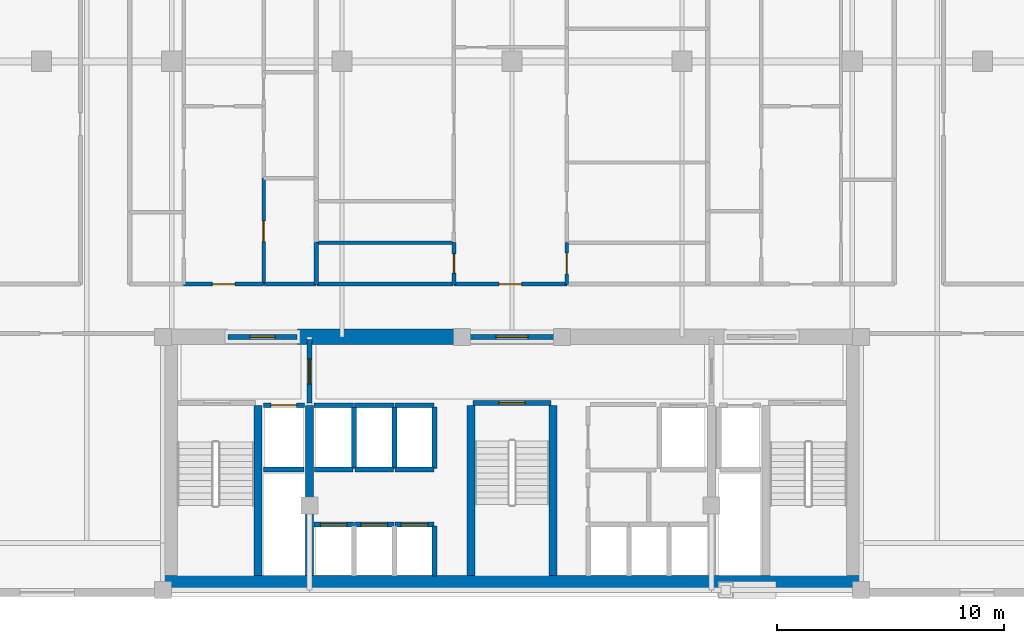
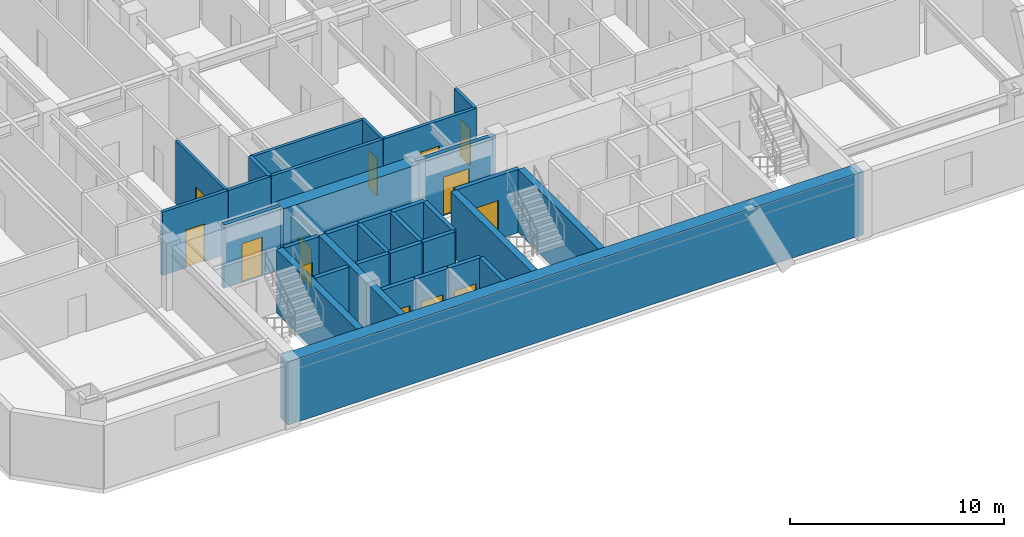
# One storey, part 3 of 9: 34 walls, 13 doors, 13 openings.
"""IFC4 building model written with IfcOpenShell, lengths in metres."""

from ifc_helpers import new_model, si_unit, direction, frame, frame_2d, origin, place, context, subcontext, project, spatial, rectangle, extrude, material, layer, layer_set, type_object, element, fill, save


model = new_model("IFC4")

# Units and contexts
model_context = context("Model", 3, precision=1e-05, world=origin(), true_north=direction((0.0, 1.0)))
body_context = subcontext(model_context, "Body", "Model", "MODEL_VIEW")
ifc_project = project(units=[si_unit("LENGTHUNIT", "METRE"), si_unit("AREAUNIT", "SQUARE_METRE"), si_unit("VOLUMEUNIT", "CUBIC_METRE"), si_unit("PLANEANGLEUNIT", "RADIAN"), si_unit("MASSUNIT", "GRAM", prefix="KILO")], contexts=[model_context])

# Site, building, storey
site_placement = place(None, origin())
site = spatial("IfcSite", under=ifc_project, at=site_placement, CompositionType="ELEMENT")
building_placement = place(site_placement, origin())
building = spatial("IfcBuilding", under=site, at=building_placement, Name="Ventersveld Concourse Tower", CompositionType="ELEMENT")
storey_placement = place(building_placement, frame((0.0, 0.0, 68.300048828125)))
storey = spatial("IfcBuildingStorey", under=building, at=storey_placement, Name="L16", CompositionType="ELEMENT", Elevation=68.300048828125)

# Walls
ifc_material_1 = material(Name="Concrete C60/75", Category="concrete")
ifc_layer_1 = layer(ifc_material_1, 0.35009765625)
ifc_layer_set_1 = layer_set([ifc_layer_1], Name="Concrete C60/75")
wall_type_1 = type_object("IfcWallType", Name="WL-CORE-350L", PredefinedType="SHEAR", material=ifc_layer_set_1)
for number, where, z_axis, x_axis, name in (
    (1, (17.5400390625, 0.919921875, 0.0), (0.0, 0.0, 1.0), (0.0, 1.0, 0.0), "L16 Core Internal Shear Web W-ST1-E"),
    (2, (19.820068359375, 0.919921875, 0.0), (0.0, 0.0, 1.0), (0.0, 1.0, 0.0), "L16 Core Internal Shear Web W-FF1-E"),
    (3, (26.93994140625, 0.919921875, 0.0), (0.0, 0.0, 1.0), (0.0, 1.0, 0.0), "L16 Core Internal Shear Web W-ST3-W"),
    (4, (30.56005859375, 0.919921875, 0.0), (0.0, 0.0, 1.0), (0.0, 1.0, 0.0), "L16 Core Internal Shear Web W-ST3-E"),
):
    element("IfcWall", number, at=place(storey_placement, frame(where, z_axis=z_axis, x_axis=x_axis)), inside=storey, type_object=wall_type_1, Name=name, PredefinedType="SHEAR", context=body_context, shape_type="SweptSolid", body=[
        extrude(rectangle(XDim=7.5, YDim=0.35009765625, at=frame_2d((3.75, 0.0))), origin(), (0.0, 0.0, 1.0), 3.599853515625),
    ])
ifc_layer_2 = layer(ifc_material_1, 0.699951171875)
ifc_layer_set_2 = layer_set([ifc_layer_2], Name="Concrete C60/75")
wall_type_2 = type_object("IfcWallType", Name="WL-CORE-700", PredefinedType="SHEAR", material=ifc_layer_set_2)
wall_1_placement = place(storey_placement, frame((13.25, 0.570068359375, 0.0), z_axis=(0.0, 0.0, 1.0), x_axis=(1.0, 0.0, 0.0)))
element("IfcWall", 5, at=wall_1_placement, inside=storey, type_object=wall_type_2, Name="L16 Rear Core South Shear Wall", PredefinedType="SHEAR", context=body_context, shape_type="SweptSolid", body=[
    extrude(rectangle(XDim=31.0, YDim=0.699951171875, at=frame_2d((15.5, 0.0))), origin(), (0.0, 0.0, 1.0), 3.599853515625),
])
wall_2_placement = place(storey_placement, frame((19.300048828125, 11.449951171875, 0.0), z_axis=(0.0, 0.0, 1.0), x_axis=(1.0, 0.0, 0.0)))
element("IfcWall", 6, at=wall_2_placement, inside=storey, type_object=wall_type_2, Name="L16 Rear Core North Shear Wall NML", PredefinedType="SHEAR", context=body_context, shape_type="SweptSolid", body=[
    extrude(rectangle(XDim=7.300048828125, YDim=0.699951171875, at=frame_2d((3.64990234375, 0.0))), origin(), (0.0, 0.0, 1.0), 3.599853515625),
])

# Wall, opening, door
ifc_material_2 = material(Name="Fire-rated autoclaved aerated masonry blockwork", Category="masonry")
ifc_layer_3 = layer(ifc_material_2, 0.179931640625)
ifc_layer_set_3 = layer_set([ifc_layer_3], Name="Fire-rated autoclaved aerated masonry blockwork")
wall_type_3 = type_object("IfcWallType", Name="WL-CORR-180", PredefinedType="PARTITIONING", material=ifc_layer_set_3)
wall_3_placement = place(storey_placement, frame((14.269287109375, 13.77001953125, 0.0), z_axis=(0.0, 0.0, 1.0), x_axis=(1.0, 0.0, 0.0)))
wall_3 = element("IfcWall", 7, at=wall_3_placement, inside=storey, type_object=wall_type_3, Name="L16 Interior Partition SP-L16-COR-SP-L16-16CW-FOY", PredefinedType="PARTITIONING", context=body_context, shape_type="SweptSolid", body=[
    extrude(rectangle(XDim=3.5283203125, YDim=0.179931640625, at=frame_2d((1.76416015625, 0.0))), origin(), (0.0, 0.0, 1.0), 3.599853515625),
])
opening_1_placement = place(wall_3_placement, frame((1.26416015625, 0.0, 0.0)))
opening_1 = element("IfcOpeningElement", 8, at=opening_1_placement, cuts=wall_3, Name="Opening FD3", PredefinedType="OPENING", context=body_context, shape_type="SweptSolid", body=[
    extrude(rectangle(XDim=1.0, YDim=2.14990234375, at=frame_2d((0.5, 1.074951171875))), frame((0.0, 0.10009765625, 0.0), z_axis=(0.0, -1.0, 0.0), x_axis=(1.0, 0.0, 0.0)), (0.0, 0.0, 1.0), 0.199951171875),
])
ifc_material_3 = material(Name="Solid-core hardwood veneer timber", Category="wood")
door_type_1 = type_object("IfcDoorType", Name="DR-FLAT-100", OperationType="NOTDEFINED", PredefinedType="DOOR", material=ifc_material_3)
door_1_placement = place(opening_1_placement, origin())
door_1 = element("IfcDoor", 9, at=door_1_placement, inside=storey, type_object=door_type_1, Name="L16 Interior Door SP-L16-COR to SP-L16-16CW-FOY (FD-L16-0729)", OperationType="SINGLE_SWING_LEFT", OverallHeight=2.14990234375, OverallWidth=1.0, PredefinedType="DOOR", context=body_context, shape_type="SweptSolid", body=[
    extrude(rectangle(XDim=1.0, YDim=2.14990234375, at=frame_2d((0.5, 1.074951171875))), frame((0.0, 0.02490234375, 0.0), z_axis=(0.0, -1.0, 0.0), x_axis=(1.0, 0.0, 0.0)), (0.0, 0.0, 1.0), 0.050048828125),
])
fill(opening_1, door_1)

# Wall
wall_4_placement = place(storey_placement, frame((17.82763671875, 13.77001953125, 0.0), z_axis=(0.0, 0.0, 1.0), x_axis=(1.0, 0.0, 0.0)))
element("IfcWall", 10, at=wall_4_placement, inside=storey, type_object=wall_type_3, Name="L16 Interior Partition SP-L16-COR-SP-L16-16CW-KIT", PredefinedType="PARTITIONING", context=body_context, shape_type="SweptSolid", body=[
    extrude(rectangle(XDim=2.287353515625, YDim=0.179931640625, at=frame_2d((1.1435546875, 0.0))), origin(), (0.0, 0.0, 1.0), 3.599853515625),
])

# Wall, opening, door
wall_5_placement = place(storey_placement, frame((26.183837890625, 13.77001953125, 0.0), z_axis=(0.0, 0.0, 1.0), x_axis=(1.0, 0.0, 0.0)))
wall_5 = element("IfcWall", 11, at=wall_5_placement, inside=storey, type_object=wall_type_3, Name="L16 Interior Partition SP-L16-COR-SP-L16-16CM-FOY", PredefinedType="PARTITIONING", context=body_context, shape_type="SweptSolid", body=[
    extrude(rectangle(XDim=4.989990234375, YDim=0.179931640625, at=frame_2d((2.4951171875, 0.0))), origin(), (0.0, 0.0, 1.0), 3.599853515625),
])
opening_2_placement = place(wall_5_placement, frame((1.9951171875, 0.0, 0.0)))
opening_2 = element("IfcOpeningElement", 12, at=opening_2_placement, cuts=wall_5, Name="Opening FD3", PredefinedType="OPENING", context=body_context, shape_type="SweptSolid", body=[
    extrude(rectangle(XDim=1.0, YDim=2.14990234375, at=frame_2d((0.5, 1.074951171875))), frame((0.0, 0.10009765625, 0.0), z_axis=(0.0, -1.0, 0.0), x_axis=(1.0, 0.0, 0.0)), (0.0, 0.0, 1.0), 0.199951171875),
])
door_2_placement = place(opening_2_placement, origin())
door_2 = element("IfcDoor", 13, at=door_2_placement, inside=storey, type_object=door_type_1, Name="L16 Interior Door SP-L16-COR to SP-L16-16CM-FOY (FD-L16-0731)", OperationType="SINGLE_SWING_LEFT", OverallHeight=2.14990234375, OverallWidth=1.0, PredefinedType="DOOR", context=body_context, shape_type="SweptSolid", body=[
    extrude(rectangle(XDim=1.0, YDim=2.14990234375, at=frame_2d((0.5, 1.074951171875))), frame((0.0, 0.02490234375, 0.0), z_axis=(0.0, -1.0, 0.0), x_axis=(1.0, 0.0, 0.0)), (0.0, 0.0, 1.0), 0.050048828125),
])
fill(opening_2, door_2)

# Walls
wall_6_placement = place(storey_placement, frame((20.14501953125, 13.77001953125, 0.0), z_axis=(0.0, 0.0, 1.0), x_axis=(1.0, 0.0, 0.0)))
element("IfcWall", 14, at=wall_6_placement, inside=storey, type_object=wall_type_3, Name="L16 Interior Partition SP-L16-COR-SP-L16-16CM-BATH", PredefinedType="PARTITIONING", context=body_context, shape_type="SweptSolid", body=[
    extrude(rectangle(XDim=6.0087890625, YDim=0.179931640625, at=frame_2d((3.00439453125, 0.0))), origin(), (0.0, 0.0, 1.0), 3.599853515625),
])
ifc_layer_4 = layer(ifc_material_2, 0.199951171875)
ifc_layer_set_4 = layer_set([ifc_layer_4], Name="Fire-rated autoclaved aerated masonry blockwork")
wall_type_4 = type_object("IfcWallType", Name="WL-DEMISE-200", PredefinedType="PARTITIONING", material=ifc_layer_set_4)
wall_7_placement = place(storey_placement, frame((20.110107421875, 13.764892578125, 0.0), z_axis=(0.0, 0.0, 1.0), x_axis=(0.0, 1.0, 0.0)))
element("IfcWall", 15, at=wall_7_placement, inside=storey, type_object=wall_type_4, Name="L16 Interior Partition SP-L16-16CW-KIT-SP-L16-16CM-BATH", PredefinedType="PARTITIONING", context=body_context, shape_type="SweptSolid", body=[
    extrude(rectangle(XDim=1.840087890625, YDim=0.199951171875, at=frame_2d((0.919921875, 0.0))), origin(), (0.0, 0.0, 1.0), 3.599853515625),
])
ifc_layer_5 = layer(ifc_material_2, 0.219970703125)
ifc_layer_set_5 = layer_set([ifc_layer_5], Name="Fire-rated autoclaved aerated masonry blockwork")
wall_type_5 = type_object("IfcWallType", Name="WL-HOIST-220", PredefinedType="SOLIDWALL", material=ifc_layer_set_5)
wall_8_placement = place(storey_placement, frame((17.800048828125, 5.590087890625, 0.0), z_axis=(0.0, 0.0, 1.0), x_axis=(1.0, 0.0, 0.0)))
element("IfcWall", 16, at=wall_8_placement, inside=storey, type_object=wall_type_5, Name="L16 Lift Hoistway Back Wall FFL-01", PredefinedType="SOLIDWALL", context=body_context, shape_type="SweptSolid", body=[
    extrude(rectangle(XDim=1.780029296875, YDim=0.219970703125, at=frame_2d((0.89013671875, 0.0))), origin(), (0.0, 0.0, 1.0), 3.599853515625),
])

# Wall, opening, door
wall_9_placement = place(storey_placement, frame((17.780029296875, 8.429931640625, 0.0), z_axis=(0.0, 0.0, 1.0), x_axis=(1.0, 0.0, 0.0)))
wall_9 = element("IfcWall", 17, at=wall_9_placement, inside=storey, type_object=wall_type_5, Name="L16 Lift Hoistway Front Wall FFL-01", PredefinedType="SOLIDWALL", context=body_context, shape_type="SweptSolid", body=[
    extrude(rectangle(XDim=1.820068359375, YDim=0.219970703125, at=frame_2d((0.91015625, 0.0))), origin(), (0.0, 0.0, 1.0), 3.599853515625),
])
opening_3_placement = place(wall_9_placement, frame((0.35009765625, 0.0, 0.0)))
opening_3 = element("IfcOpeningElement", 18, at=opening_3_placement, cuts=wall_9, Name="Opening LD1", PredefinedType="OPENING", context=body_context, shape_type="SweptSolid", body=[
    extrude(rectangle(XDim=1.1201171875, YDim=2.25, at=frame_2d((0.56005859375, 1.125))), frame((0.0, 0.1201171875, 0.0), z_axis=(0.0, -1.0, 0.0), x_axis=(1.0, 0.0, 0.0)), (0.0, 0.0, 1.0), 0.239990234375),
])
ifc_material_4 = material(Name="Brushed stainless steel 316", Category="steel")
door_type_2 = type_object("IfcDoorType", Name="LD-FF-112", OperationType="SLIDING_TO_LEFT", PredefinedType="DOOR", material=ifc_material_4)
door_3_placement = place(opening_3_placement, origin())
door_3 = element("IfcDoor", 19, at=door_3_placement, inside=storey, type_object=door_type_2, Name="L16 Lift landing door FFL-01 (LD-L16-FFL-01)", OperationType="SLIDING_TO_LEFT", OverallHeight=2.25, OverallWidth=1.1201171875, PredefinedType="DOOR", context=body_context, shape_type="SweptSolid", body=[
    extrude(rectangle(XDim=1.1201171875, YDim=2.25, at=frame_2d((0.56005859375, 1.125))), frame((0.0, 0.02490234375, 0.0), z_axis=(0.0, -1.0, 0.0), x_axis=(1.0, 0.0, 0.0)), (0.0, 0.0, 1.0), 0.050048828125),
])
fill(opening_3, door_3)

wall_10_placement = place(storey_placement, frame((20.02001953125, 3.179931640625, 0.0), z_axis=(0.0, 0.0, 1.0), x_axis=(1.0, 0.0, 0.0)))
wall_10 = element("IfcWall", 20, at=wall_10_placement, inside=storey, type_object=wall_type_5, Name="L16 Lift Hoistway Front Wall PL-01", PredefinedType="SOLIDWALL", context=body_context, shape_type="SweptSolid", body=[
    extrude(rectangle(XDim=1.739990234375, YDim=0.219970703125, at=frame_2d((0.8701171875, 0.0))), origin(), (0.0, 0.0, 1.0), 3.599853515625),
])
opening_4_placement = place(wall_10_placement, frame((0.280029296875, 0.0, 0.0)))
opening_4 = element("IfcOpeningElement", 21, at=opening_4_placement, cuts=wall_10, Name="Opening LD2", PredefinedType="OPENING", context=body_context, shape_type="SweptSolid", body=[
    extrude(rectangle(XDim=1.179931640625, YDim=2.199951171875, at=frame_2d((0.58984375, 1.10009765625))), frame((0.0, 0.1201171875, 0.0), z_axis=(0.0, -1.0, 0.0), x_axis=(1.0, 0.0, 0.0)), (0.0, 0.0, 1.0), 0.239990234375),
])
door_type_3 = type_object("IfcDoorType", Name="LD-PAX-118", OperationType="SLIDING_TO_LEFT", PredefinedType="DOOR", material=ifc_material_4)
door_4_placement = place(opening_4_placement, origin())
door_4 = element("IfcDoor", 22, at=door_4_placement, inside=storey, type_object=door_type_3, Name="L16 Lift landing door PL-01 (LD-L16-PL-01)", OperationType="SLIDING_TO_RIGHT", OverallHeight=2.199951171875, OverallWidth=1.179931640625, PredefinedType="DOOR", context=body_context, shape_type="SweptSolid", body=[
    extrude(rectangle(XDim=1.179931640625, YDim=2.199951171875, at=frame_2d((0.58984375, 1.10009765625))), frame((0.0, 0.02490234375, 0.0), z_axis=(0.0, -1.0, 0.0), x_axis=(1.0, 0.0, 0.0)), (0.0, 0.0, 1.0), 0.050048828125),
])
fill(opening_4, door_4)

wall_11_placement = place(storey_placement, frame((21.800048828125, 3.179931640625, 0.0), z_axis=(0.0, 0.0, 1.0), x_axis=(1.0, 0.0, 0.0)))
wall_11 = element("IfcWall", 23, at=wall_11_placement, inside=storey, type_object=wall_type_5, Name="L16 Lift Hoistway Front Wall PL-02", PredefinedType="SOLIDWALL", context=body_context, shape_type="SweptSolid", body=[
    extrude(rectangle(XDim=1.739990234375, YDim=0.219970703125, at=frame_2d((0.8701171875, 0.0))), origin(), (0.0, 0.0, 1.0), 3.599853515625),
])
opening_5_placement = place(wall_11_placement, frame((0.280029296875, 0.0, 0.0)))
opening_5 = element("IfcOpeningElement", 24, at=opening_5_placement, cuts=wall_11, Name="Opening LD2", PredefinedType="OPENING", context=body_context, shape_type="SweptSolid", body=[
    extrude(rectangle(XDim=1.179931640625, YDim=2.199951171875, at=frame_2d((0.58984375, 1.10009765625))), frame((0.0, 0.1201171875, 0.0), z_axis=(0.0, -1.0, 0.0), x_axis=(1.0, 0.0, 0.0)), (0.0, 0.0, 1.0), 0.239990234375),
])
door_5_placement = place(opening_5_placement, origin())
door_5 = element("IfcDoor", 25, at=door_5_placement, inside=storey, type_object=door_type_3, Name="L16 Lift landing door PL-02 (LD-L16-PL-02)", OperationType="SLIDING_TO_LEFT", OverallHeight=2.199951171875, OverallWidth=1.179931640625, PredefinedType="DOOR", context=body_context, shape_type="SweptSolid", body=[
    extrude(rectangle(XDim=1.179931640625, YDim=2.199951171875, at=frame_2d((0.58984375, 1.10009765625))), frame((0.0, 0.02490234375, 0.0), z_axis=(0.0, -1.0, 0.0), x_axis=(1.0, 0.0, 0.0)), (0.0, 0.0, 1.0), 0.050048828125),
])
fill(opening_5, door_5)

# Wall
wall_12_placement = place(storey_placement, frame((25.340087890625, 0.89990234375, 0.0), z_axis=(0.0, 0.0, 1.0), x_axis=(0.0, 1.0, 0.0)))
element("IfcWall", 26, at=wall_12_placement, inside=storey, type_object=wall_type_5, Name="L16 Lift Hoistway Side Wall PL-03E", PredefinedType="SOLIDWALL", context=body_context, shape_type="SweptSolid", body=[
    extrude(rectangle(XDim=2.2001953125, YDim=0.219970703125, at=frame_2d((1.10009765625, 0.0))), origin(), (0.0, 0.0, 1.0), 3.599853515625),
])

# Wall, opening, door
wall_13_placement = place(storey_placement, frame((23.580078125, 3.179931640625, 0.0), z_axis=(0.0, 0.0, 1.0), x_axis=(1.0, 0.0, 0.0)))
wall_13 = element("IfcWall", 27, at=wall_13_placement, inside=storey, type_object=wall_type_5, Name="L16 Lift Hoistway Front Wall PL-03", PredefinedType="SOLIDWALL", context=body_context, shape_type="SweptSolid", body=[
    extrude(rectangle(XDim=1.739990234375, YDim=0.219970703125, at=frame_2d((0.8701171875, 0.0))), origin(), (0.0, 0.0, 1.0), 3.599853515625),
])
opening_6_placement = place(wall_13_placement, frame((0.280029296875, 0.0, 0.0)))
opening_6 = element("IfcOpeningElement", 28, at=opening_6_placement, cuts=wall_13, Name="Opening LD2", PredefinedType="OPENING", context=body_context, shape_type="SweptSolid", body=[
    extrude(rectangle(XDim=1.179931640625, YDim=2.199951171875, at=frame_2d((0.58984375, 1.10009765625))), frame((0.0, 0.1201171875, 0.0), z_axis=(0.0, -1.0, 0.0), x_axis=(1.0, 0.0, 0.0)), (0.0, 0.0, 1.0), 0.239990234375),
])
door_6_placement = place(opening_6_placement, origin())
door_6 = element("IfcDoor", 29, at=door_6_placement, inside=storey, type_object=door_type_3, Name="L16 Lift landing door PL-03 (LD-L16-PL-03)", OperationType="SLIDING_TO_RIGHT", OverallHeight=2.199951171875, OverallWidth=1.179931640625, PredefinedType="DOOR", context=body_context, shape_type="SweptSolid", body=[
    extrude(rectangle(XDim=1.179931640625, YDim=2.199951171875, at=frame_2d((0.58984375, 1.10009765625))), frame((0.0, 0.02490234375, 0.0), z_axis=(0.0, -1.0, 0.0), x_axis=(1.0, 0.0, 0.0)), (0.0, 0.0, 1.0), 0.050048828125),
])
fill(opening_6, door_6)

# Walls
wall_14_placement = place(storey_placement, frame((20.0400390625, 5.590087890625, 0.0), z_axis=(0.0, 0.0, 1.0), x_axis=(1.0, 0.0, 0.0)))
element("IfcWall", 30, at=wall_14_placement, inside=storey, type_object=wall_type_5, Name="L16 Lift Hoistway Back Wall PH-01", PredefinedType="SOLIDWALL", context=body_context, shape_type="SweptSolid", body=[
    extrude(rectangle(XDim=1.699951171875, YDim=0.219970703125, at=frame_2d((0.85009765625, 0.0))), origin(), (0.0, 0.0, 1.0), 3.599853515625),
])
wall_15_placement = place(storey_placement, frame((21.780029296875, 5.64990234375, 0.0), z_axis=(0.0, 0.0, 1.0), x_axis=(0.0, 1.0, 0.0)))
element("IfcWall", 31, at=wall_15_placement, inside=storey, type_object=wall_type_5, Name="L16 Lift Hoistway Side Wall PH-01E", PredefinedType="SOLIDWALL", context=body_context, shape_type="SweptSolid", body=[
    extrude(rectangle(XDim=2.7001953125, YDim=0.219970703125, at=frame_2d((1.35009765625, 0.0))), origin(), (0.0, 0.0, 1.0), 3.599853515625),
])
wall_16_placement = place(storey_placement, frame((20.02001953125, 8.429931640625, 0.0), z_axis=(0.0, 0.0, 1.0), x_axis=(1.0, 0.0, 0.0)))
element("IfcWall", 32, at=wall_16_placement, inside=storey, type_object=wall_type_5, Name="L16 Lift Hoistway Front Wall PH-01", PredefinedType="SOLIDWALL", context=body_context, shape_type="SweptSolid", body=[
    extrude(rectangle(XDim=1.739990234375, YDim=0.219970703125, at=frame_2d((0.8701171875, 0.0))), origin(), (0.0, 0.0, 1.0), 3.599853515625),
])
wall_17_placement = place(storey_placement, frame((21.820068359375, 5.590087890625, 0.0), z_axis=(0.0, 0.0, 1.0), x_axis=(1.0, 0.0, 0.0)))
element("IfcWall", 33, at=wall_17_placement, inside=storey, type_object=wall_type_5, Name="L16 Lift Hoistway Back Wall PH-02", PredefinedType="SOLIDWALL", context=body_context, shape_type="SweptSolid", body=[
    extrude(rectangle(XDim=1.699951171875, YDim=0.219970703125, at=frame_2d((0.85009765625, 0.0))), origin(), (0.0, 0.0, 1.0), 3.599853515625),
])
wall_18_placement = place(storey_placement, frame((23.56005859375, 5.64990234375, 0.0), z_axis=(0.0, 0.0, 1.0), x_axis=(0.0, 1.0, 0.0)))
element("IfcWall", 34, at=wall_18_placement, inside=storey, type_object=wall_type_5, Name="L16 Lift Hoistway Side Wall PH-02E", PredefinedType="SOLIDWALL", context=body_context, shape_type="SweptSolid", body=[
    extrude(rectangle(XDim=2.7001953125, YDim=0.219970703125, at=frame_2d((1.35009765625, 0.0))), origin(), (0.0, 0.0, 1.0), 3.599853515625),
])
wall_19_placement = place(storey_placement, frame((21.800048828125, 8.429931640625, 0.0), z_axis=(0.0, 0.0, 1.0), x_axis=(1.0, 0.0, 0.0)))
element("IfcWall", 35, at=wall_19_placement, inside=storey, type_object=wall_type_5, Name="L16 Lift Hoistway Front Wall PH-02", PredefinedType="SOLIDWALL", context=body_context, shape_type="SweptSolid", body=[
    extrude(rectangle(XDim=1.739990234375, YDim=0.219970703125, at=frame_2d((0.8701171875, 0.0))), origin(), (0.0, 0.0, 1.0), 3.599853515625),
])
wall_20_placement = place(storey_placement, frame((23.60009765625, 5.590087890625, 0.0), z_axis=(0.0, 0.0, 1.0), x_axis=(1.0, 0.0, 0.0)))
element("IfcWall", 36, at=wall_20_placement, inside=storey, type_object=wall_type_5, Name="L16 Lift Hoistway Back Wall PH-03", PredefinedType="SOLIDWALL", context=body_context, shape_type="SweptSolid", body=[
    extrude(rectangle(XDim=1.699951171875, YDim=0.219970703125, at=frame_2d((0.85009765625, 0.0))), origin(), (0.0, 0.0, 1.0), 3.599853515625),
])
wall_21_placement = place(storey_placement, frame((25.340087890625, 5.64990234375, 0.0), z_axis=(0.0, 0.0, 1.0), x_axis=(0.0, 1.0, 0.0)))
element("IfcWall", 37, at=wall_21_placement, inside=storey, type_object=wall_type_5, Name="L16 Lift Hoistway Side Wall PH-03E", PredefinedType="SOLIDWALL", context=body_context, shape_type="SweptSolid", body=[
    extrude(rectangle(XDim=2.7001953125, YDim=0.219970703125, at=frame_2d((1.35009765625, 0.0))), origin(), (0.0, 0.0, 1.0), 3.599853515625),
])
wall_22_placement = place(storey_placement, frame((23.580078125, 8.429931640625, 0.0), z_axis=(0.0, 0.0, 1.0), x_axis=(1.0, 0.0, 0.0)))
element("IfcWall", 38, at=wall_22_placement, inside=storey, type_object=wall_type_5, Name="L16 Lift Hoistway Front Wall PH-03", PredefinedType="SOLIDWALL", context=body_context, shape_type="SweptSolid", body=[
    extrude(rectangle(XDim=1.739990234375, YDim=0.219970703125, at=frame_2d((0.8701171875, 0.0))), origin(), (0.0, 0.0, 1.0), 3.599853515625),
])

# Wall, opening, door
wall_23_placement = place(storey_placement, frame((27.0400390625, 8.52001953125, 0.0), z_axis=(0.0, 0.0, 1.0), x_axis=(1.0, 0.0, 0.0)))
wall_23 = element("IfcWall", 39, at=wall_23_placement, inside=storey, type_object=wall_type_5, Name="L16 Escape Stair ST03 Fire Wall", PredefinedType="SOLIDWALL", context=body_context, shape_type="SweptSolid", body=[
    extrude(rectangle(XDim=3.419921875, YDim=0.219970703125, at=frame_2d((1.7099609375, 0.0))), origin(), (0.0, 0.0, 1.0), 3.599853515625),
])
opening_7_placement = place(wall_23_placement, frame((1.135009765625, 0.0, 0.0)))
opening_7 = element("IfcOpeningElement", 40, at=opening_7_placement, cuts=wall_23, Name="Opening FD1", PredefinedType="OPENING", context=body_context, shape_type="SweptSolid", body=[
    extrude(rectangle(XDim=1.14990234375, YDim=2.199951171875, at=frame_2d((0.574951171875, 1.10009765625))), frame((0.0, 0.1201171875, 0.0), z_axis=(0.0, -1.0, 0.0), x_axis=(1.0, 0.0, 0.0)), (0.0, 0.0, 1.0), 0.239990234375),
])
ifc_material_5 = material(Name="Galvanised painted steel", Category="steel")
door_type_4 = type_object("IfcDoorType", Name="DR-STAIR-115", OperationType="NOTDEFINED", PredefinedType="DOOR", material=ifc_material_5)
door_7_placement = place(opening_7_placement, origin())
door_7 = element("IfcDoor", 41, at=door_7_placement, inside=storey, type_object=door_type_4, Name="L16 Escape Stair Door ST03 (SD-L16-0717)", OperationType="SINGLE_SWING_LEFT", OverallHeight=2.199951171875, OverallWidth=1.14990234375, PredefinedType="DOOR", context=body_context, shape_type="SweptSolid", body=[
    extrude(rectangle(XDim=1.14990234375, YDim=2.199951171875, at=frame_2d((0.574951171875, 1.10009765625))), frame((0.0, 0.02490234375, 0.0), z_axis=(0.0, -1.0, 0.0), x_axis=(1.0, 0.0, 0.0)), (0.0, 0.0, 1.0), 0.050048828125),
])
fill(opening_7, door_7)

wall_24_placement = place(storey_placement, frame((19.820068359375, 8.52001953125, 0.0), z_axis=(0.0, 0.0, 1.0), x_axis=(0.0, 1.0, 0.0)))
wall_24 = element("IfcWall", 42, at=wall_24_placement, inside=storey, type_object=wall_type_5, Name="L16 Firefighting Lobby Smoke-Stop Wall FFLW-SEP", PredefinedType="SOLIDWALL", context=body_context, shape_type="SweptSolid", body=[
    extrude(rectangle(XDim=2.800048828125, YDim=0.219970703125, at=frame_2d((1.39990234375, 0.0))), origin(), (0.0, 0.0, 1.0), 3.055419921875),
])
opening_8_placement = place(wall_24_placement, frame((0.85009765625, 0.0, 0.0)))
opening_8 = element("IfcOpeningElement", 43, at=opening_8_placement, cuts=wall_24, Name="Opening FD2", PredefinedType="OPENING", context=body_context, shape_type="SweptSolid", body=[
    extrude(rectangle(XDim=1.10009765625, YDim=2.199951171875, at=frame_2d((0.550048828125, 1.10009765625))), frame((0.0, 0.1201171875, 0.0), z_axis=(0.0, -1.0, 0.0), x_axis=(1.0, 0.0, 0.0)), (0.0, 0.0, 1.0), 0.239990234375),
])
door_type_5 = type_object("IfcDoorType", Name="DR-FFL-110", OperationType="NOTDEFINED", PredefinedType="DOOR", material=ifc_material_5)
door_8_placement = place(opening_8_placement, origin())
door_8 = element("IfcDoor", 44, at=door_8_placement, inside=storey, type_object=door_type_5, Name="L16 Firefighting Lobby Door FFLW-SEP (FD-L16-0718)", OperationType="SINGLE_SWING_LEFT", OverallHeight=2.199951171875, OverallWidth=1.10009765625, PredefinedType="DOOR", context=body_context, shape_type="SweptSolid", body=[
    extrude(rectangle(XDim=1.10009765625, YDim=2.199951171875, at=frame_2d((0.550048828125, 1.10009765625))), frame((0.0, 0.02490234375, 0.0), z_axis=(0.0, -1.0, 0.0), x_axis=(1.0, 0.0, 0.0)), (0.0, 0.0, 1.0), 0.050048828125),
])
fill(opening_8, door_8)

wall_25_placement = place(storey_placement, frame((16.22998046875, 11.449951171875, 0.0), z_axis=(0.0, 0.0, 1.0), x_axis=(1.0, 0.0, 0.0)))
wall_25 = element("IfcWall", 45, at=wall_25_placement, inside=storey, type_object=wall_type_5, Name="L16 Core North Fire Portal FFLW-OUT", PredefinedType="SOLIDWALL", context=body_context, shape_type="SweptSolid", body=[
    extrude(rectangle(XDim=3.0400390625, YDim=0.219970703125, at=frame_2d((1.52001953125, 0.0))), origin(), (0.0, 0.0, 1.0), 3.599853515625),
])
opening_9_placement = place(wall_25_placement, frame((0.969970703125, 0.0, 0.0)))
opening_9 = element("IfcOpeningElement", 46, at=opening_9_placement, cuts=wall_25, Name="Opening FD2", PredefinedType="OPENING", context=body_context, shape_type="SweptSolid", body=[
    extrude(rectangle(XDim=1.10009765625, YDim=2.199951171875, at=frame_2d((0.550048828125, 1.10009765625))), frame((0.0, 0.1201171875, 0.0), z_axis=(0.0, -1.0, 0.0), x_axis=(1.0, 0.0, 0.0)), (0.0, 0.0, 1.0), 0.239990234375),
])
door_9_placement = place(opening_9_placement, origin())
door_9 = element("IfcDoor", 47, at=door_9_placement, inside=storey, type_object=door_type_5, Name="L16 Core Lobby Fire Door FFLW-OUT (FD-L16-0720)", OperationType="SINGLE_SWING_RIGHT", OverallHeight=2.199951171875, OverallWidth=1.10009765625, PredefinedType="DOOR", context=body_context, shape_type="SweptSolid", body=[
    extrude(rectangle(XDim=1.10009765625, YDim=2.199951171875, at=frame_2d((0.550048828125, 1.10009765625))), frame((0.0, 0.02490234375, 0.0), z_axis=(0.0, -1.0, 0.0), x_axis=(1.0, 0.0, 0.0)), (0.0, 0.0, 1.0), 0.050048828125),
])
fill(opening_9, door_9)

wall_26_placement = place(storey_placement, frame((26.6298828125, 11.449951171875, 0.0), z_axis=(0.0, 0.0, 1.0), x_axis=(1.0, 0.0, 0.0)))
wall_26 = element("IfcWall", 48, at=wall_26_placement, inside=storey, type_object=wall_type_5, Name="L16 Core North Fire Portal PLOB-OUT", PredefinedType="SOLIDWALL", context=body_context, shape_type="SweptSolid", body=[
    extrude(rectangle(XDim=4.240234375, YDim=0.219970703125, at=frame_2d((2.1201171875, 0.0))), origin(), (0.0, 0.0, 1.0), 3.599853515625),
])
opening_10_placement = place(wall_26_placement, frame((1.419921875, 0.0, 0.0)))
opening_10 = element("IfcOpeningElement", 49, at=opening_10_placement, cuts=wall_26, Name="Opening FD4", PredefinedType="OPENING", context=body_context, shape_type="SweptSolid", body=[
    extrude(rectangle(XDim=1.39990234375, YDim=2.199951171875, at=frame_2d((0.699951171875, 1.10009765625))), frame((0.0, 0.1201171875, 0.0), z_axis=(0.0, -1.0, 0.0), x_axis=(1.0, 0.0, 0.0)), (0.0, 0.0, 1.0), 0.239990234375),
])
door_type_6 = type_object("IfcDoorType", Name="DR-PLANT-140", OperationType="DOUBLE_DOOR_SINGLE_SWING", PredefinedType="DOOR", material=ifc_material_5)
door_10_placement = place(opening_10_placement, origin())
door_10 = element("IfcDoor", 50, at=door_10_placement, inside=storey, type_object=door_type_6, Name="L16 Core Lobby Fire Door PLOB-OUT (FD-L16-0721)", OperationType="DOUBLE_DOOR_SINGLE_SWING", OverallHeight=2.199951171875, OverallWidth=1.39990234375, PredefinedType="DOOR", context=body_context, shape_type="SweptSolid", body=[
    extrude(rectangle(XDim=1.39990234375, YDim=2.199951171875, at=frame_2d((0.699951171875, 1.10009765625))), frame((0.0, 0.02490234375, 0.0), z_axis=(0.0, -1.0, 0.0), x_axis=(1.0, 0.0, 0.0)), (0.0, 0.0, 1.0), 0.050048828125),
])
fill(opening_10, door_10)

ifc_material_6 = material(Name="Autoclaved aerated masonry blockwork", Category="masonry")
ifc_layer_6 = layer(ifc_material_6, 0.14990234375)
ifc_layer_set_6 = layer_set([ifc_layer_6], Name="Autoclaved aerated masonry blockwork")
wall_type_6 = type_object("IfcWallType", Name="WL-INT-150", PredefinedType="PARTITIONING", material=ifc_layer_set_6)
wall_27_placement = place(storey_placement, frame((17.79248046875, 13.764892578125, 0.0), z_axis=(0.0, 0.0, 1.0), x_axis=(0.0, 1.0, 0.0)))
wall_27 = element("IfcWall", 51, at=wall_27_placement, inside=storey, type_object=wall_type_6, Name="L16 Interior Partition SP-L16-16CW-FOY-SP-L16-16CW-KIT", PredefinedType="PARTITIONING", context=body_context, shape_type="SweptSolid", body=[
    extrude(rectangle(XDim=4.681396484375, YDim=0.14990234375, at=frame_2d((2.3408203125, 0.0))), origin(), (0.0, 0.0, 1.0), 3.599853515625),
])
opening_11_placement = place(wall_27_placement, frame((1.880615234375, 0.0, 0.0)))
opening_11 = element("IfcOpeningElement", 52, at=opening_11_placement, cuts=wall_27, Name="Opening ID1", PredefinedType="OPENING", context=body_context, shape_type="SweptSolid", body=[
    extrude(rectangle(XDim=0.919921875, YDim=2.10009765625, at=frame_2d((0.4599609375, 1.050048828125))), frame((0.0, 0.0849609375, 0.0), z_axis=(0.0, -1.0, 0.0), x_axis=(1.0, 0.0, 0.0)), (0.0, 0.0, 1.0), 0.169921875),
])
door_type_7 = type_object("IfcDoorType", Name="DR-ROOM-092", OperationType="NOTDEFINED", PredefinedType="DOOR", material=ifc_material_3)
door_11_placement = place(opening_11_placement, origin())
door_11 = element("IfcDoor", 53, at=door_11_placement, inside=storey, type_object=door_type_7, Name="L16 Interior Door SP-L16-16CW-FOY to SP-L16-16CW-KIT (D-L16-0737)", OperationType="SINGLE_SWING_LEFT", OverallHeight=2.10009765625, OverallWidth=0.919921875, PredefinedType="DOOR", context=body_context, shape_type="SweptSolid", body=[
    extrude(rectangle(XDim=0.919921875, YDim=2.10009765625, at=frame_2d((0.4599609375, 1.050048828125))), frame((0.0, 0.02490234375, 0.0), z_axis=(0.0, -1.0, 0.0), x_axis=(1.0, 0.0, 0.0)), (0.0, 0.0, 1.0), 0.050048828125),
])
fill(opening_11, door_11)

wall_28_placement = place(storey_placement, frame((31.1689453125, 13.764892578125, 0.0), z_axis=(0.0, 0.0, 1.0), x_axis=(0.0, 1.0, 0.0)))
wall_28 = element("IfcWall", 54, at=wall_28_placement, inside=storey, type_object=wall_type_6, Name="L16 Interior Partition SP-L16-16CM-FOY-SP-L16-16CM-KIT", PredefinedType="PARTITIONING", context=body_context, shape_type="SweptSolid", body=[
    extrude(rectangle(XDim=1.840087890625, YDim=0.14990234375, at=frame_2d((0.919921875, 0.0))), origin(), (0.0, 0.0, 1.0), 3.599853515625),
])
opening_12_placement = place(wall_28_placement, frame((0.4599609375, 0.0, 0.0)))
opening_12 = element("IfcOpeningElement", 55, at=opening_12_placement, cuts=wall_28, Name="Opening ID1", PredefinedType="OPENING", context=body_context, shape_type="SweptSolid", body=[
    extrude(rectangle(XDim=0.919921875, YDim=2.10009765625, at=frame_2d((0.4599609375, 1.050048828125))), frame((0.0, 0.0849609375, 0.0), z_axis=(0.0, -1.0, 0.0), x_axis=(1.0, 0.0, 0.0)), (0.0, 0.0, 1.0), 0.169921875),
])
door_12_placement = place(opening_12_placement, origin())
door_12 = element("IfcDoor", 56, at=door_12_placement, inside=storey, type_object=door_type_7, Name="L16 Interior Door SP-L16-16CM-FOY to SP-L16-16CM-KIT (D-L16-0758)", OperationType="SINGLE_SWING_RIGHT", OverallHeight=2.10009765625, OverallWidth=0.919921875, PredefinedType="DOOR", context=body_context, shape_type="SweptSolid", body=[
    extrude(rectangle(XDim=0.919921875, YDim=2.10009765625, at=frame_2d((0.4599609375, 1.050048828125))), frame((0.0, 0.02490234375, 0.0), z_axis=(0.0, -1.0, 0.0), x_axis=(1.0, 0.0, 0.0)), (0.0, 0.0, 1.0), 0.050048828125),
])
fill(opening_12, door_12)

ifc_layer_7 = layer(ifc_material_6, 0.1650390625)
ifc_layer_set_7 = layer_set([ifc_layer_7], Name="Autoclaved aerated masonry blockwork")
wall_type_7 = type_object("IfcWallType", Name="WL-WET-165", PredefinedType="PLUMBINGWALL", material=ifc_layer_set_7)
wall_29_placement = place(storey_placement, frame((26.18896484375, 13.764892578125, 0.0), z_axis=(0.0, 0.0, 1.0), x_axis=(0.0, 1.0, 0.0)))
wall_29 = element("IfcWall", 57, at=wall_29_placement, inside=storey, type_object=wall_type_7, Name="L16 Interior Partition SP-L16-16CM-FOY-SP-L16-16CM-BATH", PredefinedType="PLUMBINGWALL", context=body_context, shape_type="SweptSolid", body=[
    extrude(rectangle(XDim=1.840087890625, YDim=0.1650390625, at=frame_2d((0.919921875, 0.0))), origin(), (0.0, 0.0, 1.0), 3.599853515625),
])
opening_13_placement = place(wall_29_placement, frame((0.4951171875, 0.0, 0.0)))
opening_13 = element("IfcOpeningElement", 58, at=opening_13_placement, cuts=wall_29, Name="Opening ID2", PredefinedType="OPENING", context=body_context, shape_type="SweptSolid", body=[
    extrude(rectangle(XDim=0.85009765625, YDim=2.10009765625, at=frame_2d((0.425048828125, 1.050048828125))), frame((0.0, 0.092529296875, 0.0), z_axis=(0.0, -1.0, 0.0), x_axis=(1.0, 0.0, 0.0)), (0.0, 0.0, 1.0), 0.18505859375),
])
door_type_8 = type_object("IfcDoorType", Name="DR-BATH-085", OperationType="NOTDEFINED", PredefinedType="DOOR", material=ifc_material_3)
door_13_placement = place(opening_13_placement, origin())
door_13 = element("IfcDoor", 59, at=door_13_placement, inside=storey, type_object=door_type_8, Name="L16 Interior Door SP-L16-16CM-FOY to SP-L16-16CM-BATH (D-L16-0755)", OperationType="SINGLE_SWING_LEFT", OverallHeight=2.10009765625, OverallWidth=0.85009765625, PredefinedType="DOOR", context=body_context, shape_type="SweptSolid", body=[
    extrude(rectangle(XDim=0.85009765625, YDim=2.10009765625, at=frame_2d((0.425048828125, 1.050048828125))), frame((0.0, 0.02490234375, 0.0), z_axis=(0.0, -1.0, 0.0), x_axis=(1.0, 0.0, 0.0)), (0.0, 0.0, 1.0), 0.050048828125),
])
fill(opening_13, door_13)

# Wall
wall_30_placement = place(storey_placement, frame((20.10498046875, 15.60009765625, 0.0), z_axis=(0.0, 0.0, 1.0), x_axis=(1.0, 0.0, 0.0)))
element("IfcWall", 60, at=wall_30_placement, inside=storey, type_object=wall_type_7, Name="L16 Interior Partition SP-L16-16CM-BATH-SP-L16-16CM-PANL0", PredefinedType="PLUMBINGWALL", context=body_context, shape_type="SweptSolid", body=[
    extrude(rectangle(XDim=6.0888671875, YDim=0.1650390625, at=frame_2d((3.04443359375, 0.0))), origin(), (0.0, 0.0, 1.0), 3.599853515625),
])

save(model, "model.ifc")
